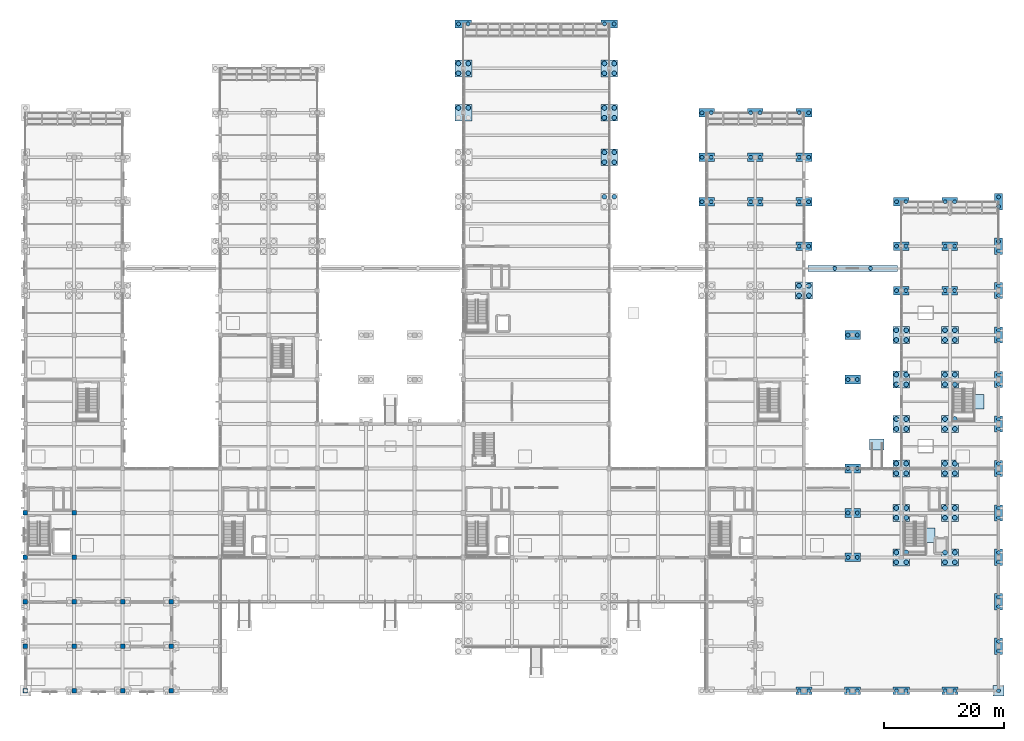
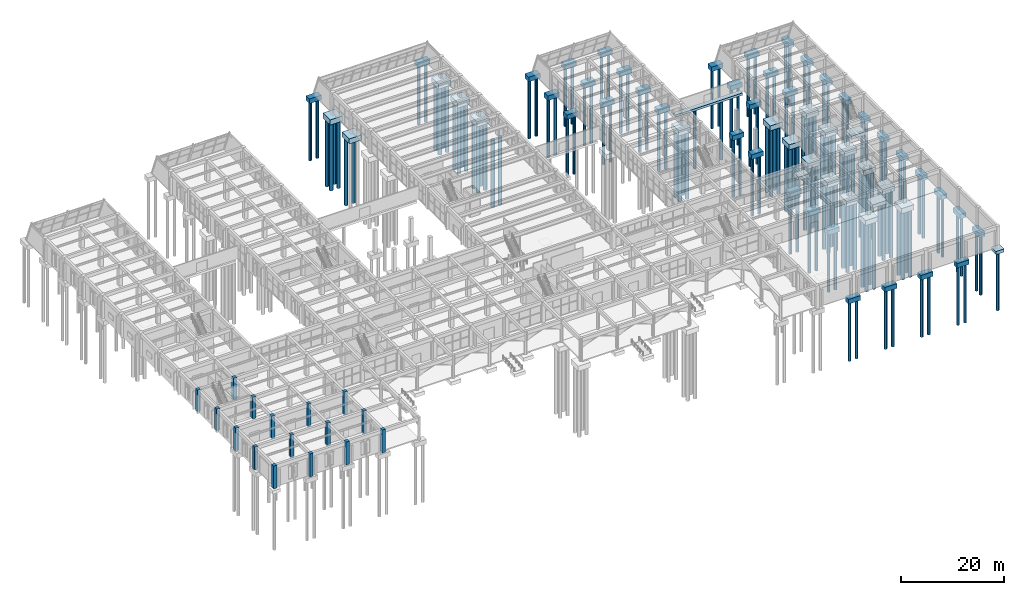
# One storey, part 2 of 140: 151 piles, 61 footings, 16 columns.
"""IFC4 building model written with IfcOpenShell, lengths in metres."""

from ifc_helpers import new_model, si_unit, direction, frame, origin, origin_2d, place, context, subcontext, project, spatial, rectangle, circle, extrude, material, material_profile, profile_set, type_object, element, save


model = new_model("IFC4")

# Units and contexts
model_context = context("Model", 3, precision=1e-05, world=origin(), true_north=direction((0.0, 1.0)))
body_context = subcontext(model_context, "Body", "Model", "MODEL_VIEW")
ifc_project = project(units=[si_unit("LENGTHUNIT", "METRE"), si_unit("AREAUNIT", "SQUARE_METRE"), si_unit("VOLUMEUNIT", "CUBIC_METRE"), si_unit("PLANEANGLEUNIT", "RADIAN"), si_unit("MASSUNIT", "GRAM", prefix="KILO")], contexts=[model_context])

# Site, building, storey
site_placement = place(None, origin())
site = spatial("IfcSite", under=ifc_project, at=site_placement, CompositionType="ELEMENT")
building_placement = place(site_placement, origin())
building = spatial("IfcBuilding", under=site, at=building_placement, Name="Cimatlan Art Gallery", CompositionType="ELEMENT")
storey_placement = place(building_placement, origin())
storey = spatial("IfcBuildingStorey", under=building, at=storey_placement, Name="L00", CompositionType="ELEMENT", Elevation=0.0)

# Footings
ifc_material_1 = material(Name="Concrete C40/50", Category="concrete")
footing_type_1 = type_object("IfcFootingType", Name="FTG-PAD-1800", PredefinedType="PAD_FOOTING", material=ifc_material_1)
footing_1_placement = place(storey_placement, frame((164.0, 1.699951171875, -1.030029296875), z_axis=(0.0, 0.0, 1.0), x_axis=(1.0, 0.0, 0.0)))
element("IfcFooting", 1, at=footing_1_placement, inside=storey, type_object=footing_type_1, Name="FTG-CAP-20-00", PredefinedType="PAD_FOOTING", context=body_context, shape_type="SweptSolid", body=[
    extrude(rectangle(XDim=1.800048828125, YDim=1.800048828125, at=origin_2d()), origin(), (0.0, 0.0, 1.0), 0.75),
])
footing_type_2 = type_object("IfcFootingType", Name="FTG-PAD-2400X1800", PredefinedType="PAD_FOOTING", material=ifc_material_1)
footing_2_placement = place(storey_placement, frame((143.75, 42.679931640625, -1.110107421875), z_axis=(0.0, 0.0, 1.0), x_axis=(1.0, 0.0, 0.0)))
element("IfcFooting", 2, at=footing_2_placement, inside=storey, type_object=footing_type_2, Name="FTG-RMP-06-BOT", PredefinedType="PAD_FOOTING", context=body_context, shape_type="SweptSolid", body=[
    extrude(rectangle(XDim=2.39990234375, YDim=1.800048828125, at=origin_2d()), origin(), (0.0, 0.0, 1.0), 0.75),
])
footing_type_3 = type_object("IfcFootingType", Name="FTG-PAD-3200X2400", PredefinedType="PAD_FOOTING", material=ifc_material_1)
for number, where, z_axis, x_axis, name in (
    (3, (151.85009765625, 27.60009765625, -1.080078125), (0.0, 0.0, 1.0), (1.0, 0.0, 0.0), "FTG-CORE-C5"),
    (4, (159.949951171875, 49.800048828125, -1.080078125), (0.0, 0.0, 1.0), (1.0, 0.0, 0.0), "FTG-CORE-C10"),
):
    element("IfcFooting", number, at=place(storey_placement, frame(where, z_axis=z_axis, x_axis=x_axis)), inside=storey, type_object=footing_type_3, Name=name, PredefinedType="PAD_FOOTING", context=body_context, shape_type="SweptSolid", body=[
        extrude(rectangle(XDim=3.199951171875, YDim=2.39990234375, at=origin_2d()), origin(), (0.0, 0.0, 1.0), 0.800048828125),
    ])
footing_type_4 = type_object("IfcFootingType", Name="FTG-PC2-2600X1450", PredefinedType="PILE_CAP", material=ifc_material_1)
for number, where, z_axis, x_axis, name in (
    (5, (115.39990234375, 83.10009765625, -1.380126953125), (0.0, 0.0, 1.0), (1.0, 0.0, 0.0), "FTG-CAP-14-11"),
    (6, (115.39990234375, 90.5, -1.380126953125), (0.0, 0.0, 1.0), (1.0, 0.0, 0.0), "FTG-CAP-14-12"),
    (7, (115.39990234375, 97.89990234375, -1.380126953125), (0.0, 0.0, 1.0), (1.0, 0.0, 0.0), "FTG-CAP-14-13"),
    (8, (123.5, 83.10009765625, -1.380126953125), (0.0, 0.0, 1.0), (1.0, 0.0, 0.0), "FTG-CAP-15-11"),
    (9, (123.5, 90.5, -1.380126953125), (0.0, 0.0, 1.0), (1.0, 0.0, 0.0), "FTG-CAP-15-12"),
    (10, (123.5, 97.89990234375, -1.380126953125), (0.0, 0.0, 1.0), (1.0, 0.0, 0.0), "FTG-CAP-15-13"),
    (11, (131.60009765625, 75.699951171875, -1.380126953125), (0.0, 0.0, 1.0), (1.0, 0.0, 0.0), "FTG-CAP-16-10"),
    (12, (131.60009765625, 83.10009765625, -1.380126953125), (0.0, 0.0, 1.0), (1.0, 0.0, 0.0), "FTG-CAP-16-11"),
    (13, (131.60009765625, 90.5, -1.380126953125), (0.0, 0.0, 1.0), (1.0, 0.0, 0.0), "FTG-CAP-16-12"),
    (14, (131.60009765625, 97.89990234375, -1.380126953125), (0.0, 0.0, 1.0), (1.0, 0.0, 0.0), "FTG-CAP-16-13"),
    (15, (139.699951171875, 23.89990234375, -1.380126953125), (0.0, 0.0, 1.0), (1.0, 0.0, 0.0), "FTG-CAP-17-03"),
    (16, (139.699951171875, 31.300048828125, -1.380126953125), (0.0, 0.0, 1.0), (1.0, 0.0, 0.0), "FTG-CAP-17-04"),
    (17, (139.699951171875, 38.699951171875, -1.380126953125), (0.0, 0.0, 1.0), (1.0, 0.0, 0.0), "FTG-CAP-17-05"),
    (18, (139.699951171875, 53.5, -1.380126953125), (0.0, 0.0, 1.0), (1.0, 0.0, 0.0), "FTG-CAP-17-07"),
    (19, (139.699951171875, 60.89990234375, -1.380126953125), (0.0, 0.0, 1.0), (1.0, 0.0, 0.0), "FTG-CAP-17-08"),
    (20, (147.800048828125, 68.300048828125, -1.380126953125), (0.0, 0.0, 1.0), (1.0, 0.0, 0.0), "FTG-CAP-18-09"),
    (21, (147.800048828125, 75.699951171875, -1.380126953125), (0.0, 0.0, 1.0), (1.0, 0.0, 0.0), "FTG-CAP-18-10"),
    (22, (147.800048828125, 83.10009765625, -1.380126953125), (0.0, 0.0, 1.0), (1.0, 0.0, 0.0), "FTG-CAP-18-11"),
    (23, (155.89990234375, 68.300048828125, -1.380126953125), (0.0, 0.0, 1.0), (1.0, 0.0, 0.0), "FTG-CAP-19-09"),
    (24, (155.89990234375, 75.699951171875, -1.380126953125), (0.0, 0.0, 1.0), (1.0, 0.0, 0.0), "FTG-CAP-19-10"),
    (25, (155.89990234375, 83.10009765625, -1.380126953125), (0.0, 0.0, 1.0), (1.0, 0.0, 0.0), "FTG-CAP-19-11"),
):
    element("IfcFooting", number, at=place(storey_placement, frame(where, z_axis=z_axis, x_axis=x_axis)), inside=storey, type_object=footing_type_4, Name=name, PredefinedType="PILE_CAP", context=body_context, shape_type="SweptSolid", body=[
        extrude(rectangle(XDim=2.60009765625, YDim=1.449951171875, at=origin_2d()), origin(), (0.0, 0.0, 1.0), 1.10009765625),
    ])
footing_type_5 = type_object("IfcFootingType", Name="FTG-PC2E-2700X1300", PredefinedType="PILE_CAP", material=ifc_material_1)
for number, where, z_axis, x_axis, name in (
    (26, (74.89990234375, 112.699951171875, -1.380126953125), (0.0, 0.0, 1.0), (1.0, 0.0, 0.0), "FTG-CAP-09-15"),
    (27, (99.199951171875, 112.699951171875, -1.380126953125), (0.0, 0.0, 1.0), (1.0, 0.0, 0.0), "FTG-CAP-12-15"),
    (28, (131.60009765625, 1.699951171875, -1.380126953125), (0.0, 0.0, 1.0), (1.0, 0.0, 0.0), "FTG-CAP-16-00"),
    (29, (139.699951171875, 1.699951171875, -1.380126953125), (0.0, 0.0, 1.0), (1.0, 0.0, 0.0), "FTG-CAP-17-00"),
    (30, (147.800048828125, 1.699951171875, -1.380126953125), (0.0, 0.0, 1.0), (1.0, 0.0, 0.0), "FTG-CAP-18-00"),
    (31, (155.89990234375, 1.699951171875, -1.380126953125), (0.0, 0.0, 1.0), (1.0, 0.0, 0.0), "FTG-CAP-19-00"),
):
    element("IfcFooting", number, at=place(storey_placement, frame(where, z_axis=z_axis, x_axis=x_axis)), inside=storey, type_object=footing_type_5, Name=name, PredefinedType="PILE_CAP", context=body_context, shape_type="SweptSolid", body=[
        extrude(rectangle(XDim=2.699951171875, YDim=1.300048828125, at=origin_2d()), origin(), (0.0, 0.0, 1.0), 1.10009765625),
    ])
footing_type_6 = type_object("IfcFootingType", Name="FTG-PC2N-1300X2700", PredefinedType="PILE_CAP", material=ifc_material_1)
for number, where, z_axis, x_axis, name in (
    (32, (164.0, 9.10009765625, -1.380126953125), (0.0, 0.0, 1.0), (1.0, 0.0, 0.0), "FTG-CAP-20-01"),
    (33, (164.0, 16.5, -1.380126953125), (0.0, 0.0, 1.0), (1.0, 0.0, 0.0), "FTG-CAP-20-02"),
    (34, (164.0, 23.89990234375, -1.380126953125), (0.0, 0.0, 1.0), (1.0, 0.0, 0.0), "FTG-CAP-20-03"),
    (35, (164.0, 31.300048828125, -1.380126953125), (0.0, 0.0, 1.0), (1.0, 0.0, 0.0), "FTG-CAP-20-04"),
    (36, (164.0, 38.699951171875, -1.380126953125), (0.0, 0.0, 1.0), (1.0, 0.0, 0.0), "FTG-CAP-20-05"),
    (37, (164.0, 46.10009765625, -1.380126953125), (0.0, 0.0, 1.0), (1.0, 0.0, 0.0), "FTG-CAP-20-06"),
    (38, (164.0, 53.5, -1.380126953125), (0.0, 0.0, 1.0), (1.0, 0.0, 0.0), "FTG-CAP-20-07"),
    (39, (164.0, 60.89990234375, -1.380126953125), (0.0, 0.0, 1.0), (1.0, 0.0, 0.0), "FTG-CAP-20-08"),
    (40, (164.0, 68.300048828125, -1.380126953125), (0.0, 0.0, 1.0), (1.0, 0.0, 0.0), "FTG-CAP-20-09"),
    (41, (164.0, 75.699951171875, -1.380126953125), (0.0, 0.0, 1.0), (1.0, 0.0, 0.0), "FTG-CAP-20-10"),
    (42, (164.0, 83.10009765625, -1.380126953125), (0.0, 0.0, 1.0), (1.0, 0.0, 0.0), "FTG-CAP-20-11"),
):
    element("IfcFooting", number, at=place(storey_placement, frame(where, z_axis=z_axis, x_axis=x_axis)), inside=storey, type_object=footing_type_6, Name=name, PredefinedType="PILE_CAP", context=body_context, shape_type="SweptSolid", body=[
        extrude(rectangle(XDim=1.300048828125, YDim=2.699951171875, at=origin_2d()), origin(), (0.0, 0.0, 1.0), 1.10009765625),
    ])
footing_type_7 = type_object("IfcFootingType", Name="FTG-PC4-2800", PredefinedType="PILE_CAP", material=ifc_material_1)
for number, where, z_axis, x_axis, name in (
    (43, (74.89990234375, 97.89990234375, -1.47998046875), (0.0, 0.0, 1.0), (1.0, 0.0, 0.0), "FTG-CAP-09-13"),
    (44, (74.89990234375, 105.300048828125, -1.47998046875), (0.0, 0.0, 1.0), (1.0, 0.0, 0.0), "FTG-CAP-09-14"),
    (45, (99.199951171875, 90.5, -1.47998046875), (0.0, 0.0, 1.0), (1.0, 0.0, 0.0), "FTG-CAP-12-12"),
    (46, (99.199951171875, 97.89990234375, -1.47998046875), (0.0, 0.0, 1.0), (1.0, 0.0, 0.0), "FTG-CAP-12-13"),
    (47, (99.199951171875, 105.300048828125, -1.47998046875), (0.0, 0.0, 1.0), (1.0, 0.0, 0.0), "FTG-CAP-12-14"),
    (48, (131.60009765625, 68.300048828125, -1.47998046875), (0.0, 0.0, 1.0), (1.0, 0.0, 0.0), "FTG-CAP-16-09"),
    (49, (147.800048828125, 23.89990234375, -1.47998046875), (0.0, 0.0, 1.0), (1.0, 0.0, 0.0), "FTG-CAP-18-03"),
    (50, (147.800048828125, 31.300048828125, -1.47998046875), (0.0, 0.0, 1.0), (1.0, 0.0, 0.0), "FTG-CAP-18-04"),
    (51, (147.800048828125, 38.699951171875, -1.47998046875), (0.0, 0.0, 1.0), (1.0, 0.0, 0.0), "FTG-CAP-18-05"),
    (52, (147.800048828125, 46.10009765625, -1.47998046875), (0.0, 0.0, 1.0), (1.0, 0.0, 0.0), "FTG-CAP-18-06"),
    (53, (147.800048828125, 53.5, -1.47998046875), (0.0, 0.0, 1.0), (1.0, 0.0, 0.0), "FTG-CAP-18-07"),
    (54, (147.800048828125, 60.89990234375, -1.47998046875), (0.0, 0.0, 1.0), (1.0, 0.0, 0.0), "FTG-CAP-18-08"),
    (55, (155.89990234375, 23.89990234375, -1.47998046875), (0.0, 0.0, 1.0), (1.0, 0.0, 0.0), "FTG-CAP-19-03"),
    (56, (155.89990234375, 31.300048828125, -1.47998046875), (0.0, 0.0, 1.0), (1.0, 0.0, 0.0), "FTG-CAP-19-04"),
    (57, (155.89990234375, 38.699951171875, -1.47998046875), (0.0, 0.0, 1.0), (1.0, 0.0, 0.0), "FTG-CAP-19-05"),
    (58, (155.89990234375, 46.10009765625, -1.47998046875), (0.0, 0.0, 1.0), (1.0, 0.0, 0.0), "FTG-CAP-19-06"),
    (59, (155.89990234375, 53.5, -1.47998046875), (0.0, 0.0, 1.0), (1.0, 0.0, 0.0), "FTG-CAP-19-07"),
    (60, (155.89990234375, 60.89990234375, -1.47998046875), (0.0, 0.0, 1.0), (1.0, 0.0, 0.0), "FTG-CAP-19-08"),
):
    element("IfcFooting", number, at=place(storey_placement, frame(where, z_axis=z_axis, x_axis=x_axis)), inside=storey, type_object=footing_type_7, Name=name, PredefinedType="PILE_CAP", context=body_context, shape_type="SweptSolid", body=[
        extrude(rectangle(XDim=2.800048828125, YDim=2.800048828125, at=origin_2d()), origin(), (0.0, 0.0, 1.0), 1.199951171875),
    ])
footing_type_8 = type_object("IfcFootingType", Name="FTG-SF-1000X550", PredefinedType="STRIP_FOOTING", material=ifc_material_1)
footing_3_placement = place(storey_placement, frame((139.699951171875, 72.0, -0.5498046875), z_axis=(0.0, 0.0, 1.0), x_axis=(1.0, 0.0, 0.0)))
element("IfcFooting", 61, at=footing_3_placement, inside=storey, type_object=footing_type_8, Name="FTG-CGS-4", PredefinedType="STRIP_FOOTING", context=body_context, shape_type="SweptSolid", body=[
    extrude(rectangle(XDim=14.89990234375, YDim=1.0, at=origin_2d()), origin(), (0.0, 0.0, 1.0), 0.550048828125),
])

# Piles
pile_type_1 = type_object("IfcPileType", Name="PIL-D650", PredefinedType="BORED", material=ifc_material_1)
for number, where, z_axis, x_axis, name in (
    (62, (74.10009765625, 112.699951171875, -1.280029296875), (0.0, 0.0, -1.0), (1.0, 0.0, 0.0), "PIL-09-15-1"),
    (63, (75.699951171875, 112.699951171875, -1.280029296875), (0.0, 0.0, -1.0), (1.0, 0.0, 0.0), "PIL-09-15-2"),
    (64, (98.39990234375, 112.699951171875, -1.280029296875), (0.0, 0.0, -1.0), (1.0, 0.0, 0.0), "PIL-12-15-1"),
    (65, (100.0, 112.699951171875, -1.280029296875), (0.0, 0.0, -1.0), (1.0, 0.0, 0.0), "PIL-12-15-2"),
    (66, (114.6201171875, 83.10009765625, -1.280029296875), (0.0, 0.0, -1.0), (1.0, 0.0, 0.0), "PIL-14-11-1"),
    (67, (116.179931640625, 83.10009765625, -1.280029296875), (0.0, 0.0, -1.0), (1.0, 0.0, 0.0), "PIL-14-11-2"),
    (68, (114.6201171875, 90.5, -1.280029296875), (0.0, 0.0, -1.0), (1.0, 0.0, 0.0), "PIL-14-12-1"),
    (69, (116.179931640625, 90.5, -1.280029296875), (0.0, 0.0, -1.0), (1.0, 0.0, 0.0), "PIL-14-12-2"),
    (70, (114.6201171875, 97.89990234375, -1.280029296875), (0.0, 0.0, -1.0), (1.0, 0.0, 0.0), "PIL-14-13-1"),
    (71, (116.179931640625, 97.89990234375, -1.280029296875), (0.0, 0.0, -1.0), (1.0, 0.0, 0.0), "PIL-14-13-2"),
    (72, (122.719970703125, 83.10009765625, -1.280029296875), (0.0, 0.0, -1.0), (1.0, 0.0, 0.0), "PIL-15-11-1"),
    (73, (124.280029296875, 83.10009765625, -1.280029296875), (0.0, 0.0, -1.0), (1.0, 0.0, 0.0), "PIL-15-11-2"),
    (74, (122.719970703125, 90.5, -1.280029296875), (0.0, 0.0, -1.0), (1.0, 0.0, 0.0), "PIL-15-12-1"),
    (75, (124.280029296875, 90.5, -1.280029296875), (0.0, 0.0, -1.0), (1.0, 0.0, 0.0), "PIL-15-12-2"),
    (76, (122.719970703125, 97.89990234375, -1.280029296875), (0.0, 0.0, -1.0), (1.0, 0.0, 0.0), "PIL-15-13-1"),
    (77, (124.280029296875, 97.89990234375, -1.280029296875), (0.0, 0.0, -1.0), (1.0, 0.0, 0.0), "PIL-15-13-2"),
    (78, (130.800048828125, 1.699951171875, -1.280029296875), (0.0, 0.0, -1.0), (1.0, 0.0, 0.0), "PIL-16-00-1"),
    (79, (132.39990234375, 1.699951171875, -1.280029296875), (0.0, 0.0, -1.0), (1.0, 0.0, 0.0), "PIL-16-00-2"),
    (80, (130.820068359375, 75.699951171875, -1.280029296875), (0.0, 0.0, -1.0), (1.0, 0.0, 0.0), "PIL-16-10-1"),
    (81, (132.3798828125, 75.699951171875, -1.280029296875), (0.0, 0.0, -1.0), (1.0, 0.0, 0.0), "PIL-16-10-2"),
    (82, (130.820068359375, 83.10009765625, -1.280029296875), (0.0, 0.0, -1.0), (1.0, 0.0, 0.0), "PIL-16-11-1"),
    (83, (132.3798828125, 83.10009765625, -1.280029296875), (0.0, 0.0, -1.0), (1.0, 0.0, 0.0), "PIL-16-11-2"),
    (84, (130.820068359375, 90.5, -1.280029296875), (0.0, 0.0, -1.0), (1.0, 0.0, 0.0), "PIL-16-12-1"),
    (85, (132.3798828125, 90.5, -1.280029296875), (0.0, 0.0, -1.0), (1.0, 0.0, 0.0), "PIL-16-12-2"),
    (86, (130.820068359375, 97.89990234375, -1.280029296875), (0.0, 0.0, -1.0), (1.0, 0.0, 0.0), "PIL-16-13-1"),
    (87, (132.3798828125, 97.89990234375, -1.280029296875), (0.0, 0.0, -1.0), (1.0, 0.0, 0.0), "PIL-16-13-2"),
    (88, (138.89990234375, 1.699951171875, -1.280029296875), (0.0, 0.0, -1.0), (1.0, 0.0, 0.0), "PIL-17-00-1"),
    (89, (140.5, 1.699951171875, -1.280029296875), (0.0, 0.0, -1.0), (1.0, 0.0, 0.0), "PIL-17-00-2"),
    (90, (138.919921875, 23.89990234375, -1.280029296875), (0.0, 0.0, -1.0), (1.0, 0.0, 0.0), "PIL-17-03-1"),
    (91, (140.47998046875, 23.89990234375, -1.280029296875), (0.0, 0.0, -1.0), (1.0, 0.0, 0.0), "PIL-17-03-2"),
    (92, (138.919921875, 31.300048828125, -1.280029296875), (0.0, 0.0, -1.0), (1.0, 0.0, 0.0), "PIL-17-04-1"),
    (93, (140.47998046875, 31.300048828125, -1.280029296875), (0.0, 0.0, -1.0), (1.0, 0.0, 0.0), "PIL-17-04-2"),
    (94, (138.919921875, 38.699951171875, -1.280029296875), (0.0, 0.0, -1.0), (1.0, 0.0, 0.0), "PIL-17-05-1"),
    (95, (140.47998046875, 38.699951171875, -1.280029296875), (0.0, 0.0, -1.0), (1.0, 0.0, 0.0), "PIL-17-05-2"),
    (96, (138.919921875, 53.5, -1.280029296875), (0.0, 0.0, -1.0), (1.0, 0.0, 0.0), "PIL-17-07-1"),
    (97, (140.47998046875, 53.5, -1.280029296875), (0.0, 0.0, -1.0), (1.0, 0.0, 0.0), "PIL-17-07-2"),
    (98, (138.919921875, 60.89990234375, -1.280029296875), (0.0, 0.0, -1.0), (1.0, 0.0, 0.0), "PIL-17-08-1"),
    (99, (140.47998046875, 60.89990234375, -1.280029296875), (0.0, 0.0, -1.0), (1.0, 0.0, 0.0), "PIL-17-08-2"),
    (100, (147.0, 1.699951171875, -1.280029296875), (0.0, 0.0, -1.0), (1.0, 0.0, 0.0), "PIL-18-00-1"),
    (101, (148.60009765625, 1.699951171875, -1.280029296875), (0.0, 0.0, -1.0), (1.0, 0.0, 0.0), "PIL-18-00-2"),
    (102, (147.02001953125, 68.300048828125, -1.280029296875), (0.0, 0.0, -1.0), (1.0, 0.0, 0.0), "PIL-18-09-1"),
    (103, (148.580078125, 68.300048828125, -1.280029296875), (0.0, 0.0, -1.0), (1.0, 0.0, 0.0), "PIL-18-09-2"),
    (104, (147.02001953125, 75.699951171875, -1.280029296875), (0.0, 0.0, -1.0), (1.0, 0.0, 0.0), "PIL-18-10-1"),
    (105, (148.580078125, 75.699951171875, -1.280029296875), (0.0, 0.0, -1.0), (1.0, 0.0, 0.0), "PIL-18-10-2"),
    (106, (147.02001953125, 83.10009765625, -1.280029296875), (0.0, 0.0, -1.0), (1.0, 0.0, 0.0), "PIL-18-11-1"),
    (107, (148.580078125, 83.10009765625, -1.280029296875), (0.0, 0.0, -1.0), (1.0, 0.0, 0.0), "PIL-18-11-2"),
    (108, (155.10009765625, 1.699951171875, -1.280029296875), (0.0, 0.0, -1.0), (1.0, 0.0, 0.0), "PIL-19-00-1"),
    (109, (156.699951171875, 1.699951171875, -1.280029296875), (0.0, 0.0, -1.0), (1.0, 0.0, 0.0), "PIL-19-00-2"),
    (110, (155.1201171875, 68.300048828125, -1.280029296875), (0.0, 0.0, -1.0), (1.0, 0.0, 0.0), "PIL-19-09-1"),
    (111, (156.679931640625, 68.300048828125, -1.280029296875), (0.0, 0.0, -1.0), (1.0, 0.0, 0.0), "PIL-19-09-2"),
    (112, (155.1201171875, 75.699951171875, -1.280029296875), (0.0, 0.0, -1.0), (1.0, 0.0, 0.0), "PIL-19-10-1"),
    (113, (156.679931640625, 75.699951171875, -1.280029296875), (0.0, 0.0, -1.0), (1.0, 0.0, 0.0), "PIL-19-10-2"),
    (114, (155.1201171875, 83.10009765625, -1.280029296875), (0.0, 0.0, -1.0), (1.0, 0.0, 0.0), "PIL-19-11-1"),
    (115, (156.679931640625, 83.10009765625, -1.280029296875), (0.0, 0.0, -1.0), (1.0, 0.0, 0.0), "PIL-19-11-2"),
    (116, (164.0, 1.699951171875, -0.929931640625), (0.0, 0.0, -1.0), (1.0, 0.0, 0.0), "PIL-20-00-1"),
    (117, (164.0, 8.300048828125, -1.280029296875), (0.0, 0.0, -1.0), (1.0, 0.0, 0.0), "PIL-20-01-1"),
    (118, (164.0, 9.89990234375, -1.280029296875), (0.0, 0.0, -1.0), (1.0, 0.0, 0.0), "PIL-20-01-2"),
    (119, (164.0, 15.699951171875, -1.280029296875), (0.0, 0.0, -1.0), (1.0, 0.0, 0.0), "PIL-20-02-1"),
    (120, (164.0, 17.300048828125, -1.280029296875), (0.0, 0.0, -1.0), (1.0, 0.0, 0.0), "PIL-20-02-2"),
    (121, (164.0, 23.10009765625, -1.280029296875), (0.0, 0.0, -1.0), (1.0, 0.0, 0.0), "PIL-20-03-1"),
    (122, (164.0, 24.699951171875, -1.280029296875), (0.0, 0.0, -1.0), (1.0, 0.0, 0.0), "PIL-20-03-2"),
    (123, (164.0, 30.5, -1.280029296875), (0.0, 0.0, -1.0), (1.0, 0.0, 0.0), "PIL-20-04-1"),
    (124, (164.0, 32.10009765625, -1.280029296875), (0.0, 0.0, -1.0), (1.0, 0.0, 0.0), "PIL-20-04-2"),
    (125, (164.0, 37.89990234375, -1.280029296875), (0.0, 0.0, -1.0), (1.0, 0.0, 0.0), "PIL-20-05-1"),
    (126, (164.0, 39.5, -1.280029296875), (0.0, 0.0, -1.0), (1.0, 0.0, 0.0), "PIL-20-05-2"),
    (127, (164.0, 45.300048828125, -1.280029296875), (0.0, 0.0, -1.0), (1.0, 0.0, 0.0), "PIL-20-06-1"),
    (128, (164.0, 46.89990234375, -1.280029296875), (0.0, 0.0, -1.0), (1.0, 0.0, 0.0), "PIL-20-06-2"),
    (129, (164.0, 52.699951171875, -1.280029296875), (0.0, 0.0, -1.0), (1.0, 0.0, 0.0), "PIL-20-07-1"),
    (130, (164.0, 54.300048828125, -1.280029296875), (0.0, 0.0, -1.0), (1.0, 0.0, 0.0), "PIL-20-07-2"),
    (131, (164.0, 60.10009765625, -1.280029296875), (0.0, 0.0, -1.0), (1.0, 0.0, 0.0), "PIL-20-08-1"),
    (132, (164.0, 61.699951171875, -1.280029296875), (0.0, 0.0, -1.0), (1.0, 0.0, 0.0), "PIL-20-08-2"),
    (133, (164.0, 67.5, -1.280029296875), (0.0, 0.0, -1.0), (1.0, 0.0, 0.0), "PIL-20-09-1"),
    (134, (164.0, 69.10009765625, -1.280029296875), (0.0, 0.0, -1.0), (1.0, 0.0, 0.0), "PIL-20-09-2"),
    (135, (164.0, 74.89990234375, -1.280029296875), (0.0, 0.0, -1.0), (1.0, 0.0, 0.0), "PIL-20-10-1"),
    (136, (164.0, 76.5, -1.280029296875), (0.0, 0.0, -1.0), (1.0, 0.0, 0.0), "PIL-20-10-2"),
    (137, (164.0, 82.300048828125, -1.280029296875), (0.0, 0.0, -1.0), (1.0, 0.0, 0.0), "PIL-20-11-1"),
    (138, (164.0, 83.89990234375, -1.280029296875), (0.0, 0.0, -1.0), (1.0, 0.0, 0.0), "PIL-20-11-2"),
    (139, (136.719970703125, 72.0, -0.449951171875), (0.0, 0.0, -1.0), (1.0, 0.0, 0.0), "PIL-CGS-4-1"),
    (140, (142.679931640625, 72.0, -0.449951171875), (0.0, 0.0, -1.0), (1.0, 0.0, 0.0), "PIL-CGS-4-2"),
):
    element("IfcPile", number, at=place(storey_placement, frame(where, z_axis=z_axis, x_axis=x_axis)), inside=storey, type_object=pile_type_1, Name=name, PredefinedType="BORED", context=body_context, shape_type="SweptSolid", body=[
        extrude(circle(Radius=0.324951171875, at=origin_2d()), origin(), (0.0, 0.0, 1.0), 14.0),
    ])
pile_type_2 = type_object("IfcPileType", Name="PIL-D800", PredefinedType="BORED", material=ifc_material_1)
for number, where, z_axis, x_axis, name in (
    (141, (74.080078125, 98.719970703125, -1.3798828125), (0.0, 0.0, -1.0), (1.0, 0.0, 0.0), "PIL-09-13-3"),
    (142, (75.719970703125, 98.719970703125, -1.3798828125), (0.0, 0.0, -1.0), (1.0, 0.0, 0.0), "PIL-09-13-4"),
    (143, (74.080078125, 104.47998046875, -1.3798828125), (0.0, 0.0, -1.0), (1.0, 0.0, 0.0), "PIL-09-14-1"),
    (144, (75.719970703125, 104.47998046875, -1.3798828125), (0.0, 0.0, -1.0), (1.0, 0.0, 0.0), "PIL-09-14-2"),
    (145, (74.080078125, 106.1201171875, -1.3798828125), (0.0, 0.0, -1.0), (1.0, 0.0, 0.0), "PIL-09-14-3"),
    (146, (75.719970703125, 106.1201171875, -1.3798828125), (0.0, 0.0, -1.0), (1.0, 0.0, 0.0), "PIL-09-14-4"),
    (147, (98.3798828125, 83.919921875, -1.3798828125), (0.0, 0.0, -1.0), (1.0, 0.0, 0.0), "PIL-12-11-3"),
    (148, (100.02001953125, 83.919921875, -1.3798828125), (0.0, 0.0, -1.0), (1.0, 0.0, 0.0), "PIL-12-11-4"),
    (149, (98.3798828125, 89.679931640625, -1.3798828125), (0.0, 0.0, -1.0), (1.0, 0.0, 0.0), "PIL-12-12-1"),
    (150, (100.02001953125, 89.679931640625, -1.3798828125), (0.0, 0.0, -1.0), (1.0, 0.0, 0.0), "PIL-12-12-2"),
    (151, (98.3798828125, 91.320068359375, -1.3798828125), (0.0, 0.0, -1.0), (1.0, 0.0, 0.0), "PIL-12-12-3"),
    (152, (100.02001953125, 91.320068359375, -1.3798828125), (0.0, 0.0, -1.0), (1.0, 0.0, 0.0), "PIL-12-12-4"),
    (153, (98.3798828125, 97.080078125, -1.3798828125), (0.0, 0.0, -1.0), (1.0, 0.0, 0.0), "PIL-12-13-1"),
    (154, (100.02001953125, 97.080078125, -1.3798828125), (0.0, 0.0, -1.0), (1.0, 0.0, 0.0), "PIL-12-13-2"),
    (155, (98.3798828125, 98.719970703125, -1.3798828125), (0.0, 0.0, -1.0), (1.0, 0.0, 0.0), "PIL-12-13-3"),
    (156, (100.02001953125, 98.719970703125, -1.3798828125), (0.0, 0.0, -1.0), (1.0, 0.0, 0.0), "PIL-12-13-4"),
    (157, (98.3798828125, 104.47998046875, -1.3798828125), (0.0, 0.0, -1.0), (1.0, 0.0, 0.0), "PIL-12-14-1"),
    (158, (100.02001953125, 104.47998046875, -1.3798828125), (0.0, 0.0, -1.0), (1.0, 0.0, 0.0), "PIL-12-14-2"),
    (159, (98.3798828125, 106.1201171875, -1.3798828125), (0.0, 0.0, -1.0), (1.0, 0.0, 0.0), "PIL-12-14-3"),
    (160, (100.02001953125, 106.1201171875, -1.3798828125), (0.0, 0.0, -1.0), (1.0, 0.0, 0.0), "PIL-12-14-4"),
    (161, (130.780029296875, 67.47998046875, -1.3798828125), (0.0, 0.0, -1.0), (1.0, 0.0, 0.0), "PIL-16-09-1"),
    (162, (132.419921875, 67.47998046875, -1.3798828125), (0.0, 0.0, -1.0), (1.0, 0.0, 0.0), "PIL-16-09-2"),
    (163, (130.780029296875, 69.1201171875, -1.3798828125), (0.0, 0.0, -1.0), (1.0, 0.0, 0.0), "PIL-16-09-3"),
    (164, (132.419921875, 69.1201171875, -1.3798828125), (0.0, 0.0, -1.0), (1.0, 0.0, 0.0), "PIL-16-09-4"),
    (165, (146.97998046875, 23.080078125, -1.3798828125), (0.0, 0.0, -1.0), (1.0, 0.0, 0.0), "PIL-18-03-1"),
    (166, (148.6201171875, 23.080078125, -1.3798828125), (0.0, 0.0, -1.0), (1.0, 0.0, 0.0), "PIL-18-03-2"),
    (167, (146.97998046875, 24.719970703125, -1.3798828125), (0.0, 0.0, -1.0), (1.0, 0.0, 0.0), "PIL-18-03-3"),
    (168, (148.6201171875, 24.719970703125, -1.3798828125), (0.0, 0.0, -1.0), (1.0, 0.0, 0.0), "PIL-18-03-4"),
    (169, (146.97998046875, 30.47998046875, -1.3798828125), (0.0, 0.0, -1.0), (1.0, 0.0, 0.0), "PIL-18-04-1"),
    (170, (148.6201171875, 30.47998046875, -1.3798828125), (0.0, 0.0, -1.0), (1.0, 0.0, 0.0), "PIL-18-04-2"),
    (171, (146.97998046875, 32.1201171875, -1.3798828125), (0.0, 0.0, -1.0), (1.0, 0.0, 0.0), "PIL-18-04-3"),
    (172, (148.6201171875, 32.1201171875, -1.3798828125), (0.0, 0.0, -1.0), (1.0, 0.0, 0.0), "PIL-18-04-4"),
    (173, (146.97998046875, 37.8798828125, -1.3798828125), (0.0, 0.0, -1.0), (1.0, 0.0, 0.0), "PIL-18-05-1"),
    (174, (148.6201171875, 37.8798828125, -1.3798828125), (0.0, 0.0, -1.0), (1.0, 0.0, 0.0), "PIL-18-05-2"),
    (175, (146.97998046875, 39.52001953125, -1.3798828125), (0.0, 0.0, -1.0), (1.0, 0.0, 0.0), "PIL-18-05-3"),
    (176, (148.6201171875, 39.52001953125, -1.3798828125), (0.0, 0.0, -1.0), (1.0, 0.0, 0.0), "PIL-18-05-4"),
    (177, (146.97998046875, 45.280029296875, -1.3798828125), (0.0, 0.0, -1.0), (1.0, 0.0, 0.0), "PIL-18-06-1"),
    (178, (148.6201171875, 45.280029296875, -1.3798828125), (0.0, 0.0, -1.0), (1.0, 0.0, 0.0), "PIL-18-06-2"),
    (179, (146.97998046875, 46.919921875, -1.3798828125), (0.0, 0.0, -1.0), (1.0, 0.0, 0.0), "PIL-18-06-3"),
    (180, (148.6201171875, 46.919921875, -1.3798828125), (0.0, 0.0, -1.0), (1.0, 0.0, 0.0), "PIL-18-06-4"),
    (181, (146.97998046875, 52.679931640625, -1.3798828125), (0.0, 0.0, -1.0), (1.0, 0.0, 0.0), "PIL-18-07-1"),
    (182, (148.6201171875, 52.679931640625, -1.3798828125), (0.0, 0.0, -1.0), (1.0, 0.0, 0.0), "PIL-18-07-2"),
    (183, (146.97998046875, 54.320068359375, -1.3798828125), (0.0, 0.0, -1.0), (1.0, 0.0, 0.0), "PIL-18-07-3"),
    (184, (148.6201171875, 54.320068359375, -1.3798828125), (0.0, 0.0, -1.0), (1.0, 0.0, 0.0), "PIL-18-07-4"),
    (185, (146.97998046875, 60.080078125, -1.3798828125), (0.0, 0.0, -1.0), (1.0, 0.0, 0.0), "PIL-18-08-1"),
    (186, (148.6201171875, 60.080078125, -1.3798828125), (0.0, 0.0, -1.0), (1.0, 0.0, 0.0), "PIL-18-08-2"),
    (187, (146.97998046875, 61.719970703125, -1.3798828125), (0.0, 0.0, -1.0), (1.0, 0.0, 0.0), "PIL-18-08-3"),
    (188, (148.6201171875, 61.719970703125, -1.3798828125), (0.0, 0.0, -1.0), (1.0, 0.0, 0.0), "PIL-18-08-4"),
    (189, (155.080078125, 23.080078125, -1.3798828125), (0.0, 0.0, -1.0), (1.0, 0.0, 0.0), "PIL-19-03-1"),
    (190, (156.719970703125, 23.080078125, -1.3798828125), (0.0, 0.0, -1.0), (1.0, 0.0, 0.0), "PIL-19-03-2"),
    (191, (155.080078125, 24.719970703125, -1.3798828125), (0.0, 0.0, -1.0), (1.0, 0.0, 0.0), "PIL-19-03-3"),
    (192, (156.719970703125, 24.719970703125, -1.3798828125), (0.0, 0.0, -1.0), (1.0, 0.0, 0.0), "PIL-19-03-4"),
    (193, (155.080078125, 30.47998046875, -1.3798828125), (0.0, 0.0, -1.0), (1.0, 0.0, 0.0), "PIL-19-04-1"),
    (194, (156.719970703125, 30.47998046875, -1.3798828125), (0.0, 0.0, -1.0), (1.0, 0.0, 0.0), "PIL-19-04-2"),
    (195, (155.080078125, 32.1201171875, -1.3798828125), (0.0, 0.0, -1.0), (1.0, 0.0, 0.0), "PIL-19-04-3"),
    (196, (156.719970703125, 32.1201171875, -1.3798828125), (0.0, 0.0, -1.0), (1.0, 0.0, 0.0), "PIL-19-04-4"),
    (197, (155.080078125, 37.8798828125, -1.3798828125), (0.0, 0.0, -1.0), (1.0, 0.0, 0.0), "PIL-19-05-1"),
    (198, (156.719970703125, 37.8798828125, -1.3798828125), (0.0, 0.0, -1.0), (1.0, 0.0, 0.0), "PIL-19-05-2"),
    (199, (155.080078125, 39.52001953125, -1.3798828125), (0.0, 0.0, -1.0), (1.0, 0.0, 0.0), "PIL-19-05-3"),
    (200, (156.719970703125, 39.52001953125, -1.3798828125), (0.0, 0.0, -1.0), (1.0, 0.0, 0.0), "PIL-19-05-4"),
    (201, (155.080078125, 45.280029296875, -1.3798828125), (0.0, 0.0, -1.0), (1.0, 0.0, 0.0), "PIL-19-06-1"),
    (202, (156.719970703125, 45.280029296875, -1.3798828125), (0.0, 0.0, -1.0), (1.0, 0.0, 0.0), "PIL-19-06-2"),
    (203, (155.080078125, 46.919921875, -1.3798828125), (0.0, 0.0, -1.0), (1.0, 0.0, 0.0), "PIL-19-06-3"),
    (204, (156.719970703125, 46.919921875, -1.3798828125), (0.0, 0.0, -1.0), (1.0, 0.0, 0.0), "PIL-19-06-4"),
    (205, (155.080078125, 52.679931640625, -1.3798828125), (0.0, 0.0, -1.0), (1.0, 0.0, 0.0), "PIL-19-07-1"),
    (206, (156.719970703125, 52.679931640625, -1.3798828125), (0.0, 0.0, -1.0), (1.0, 0.0, 0.0), "PIL-19-07-2"),
    (207, (155.080078125, 54.320068359375, -1.3798828125), (0.0, 0.0, -1.0), (1.0, 0.0, 0.0), "PIL-19-07-3"),
    (208, (156.719970703125, 54.320068359375, -1.3798828125), (0.0, 0.0, -1.0), (1.0, 0.0, 0.0), "PIL-19-07-4"),
    (209, (155.080078125, 60.080078125, -1.3798828125), (0.0, 0.0, -1.0), (1.0, 0.0, 0.0), "PIL-19-08-1"),
    (210, (156.719970703125, 60.080078125, -1.3798828125), (0.0, 0.0, -1.0), (1.0, 0.0, 0.0), "PIL-19-08-2"),
    (211, (155.080078125, 61.719970703125, -1.3798828125), (0.0, 0.0, -1.0), (1.0, 0.0, 0.0), "PIL-19-08-3"),
    (212, (156.719970703125, 61.719970703125, -1.3798828125), (0.0, 0.0, -1.0), (1.0, 0.0, 0.0), "PIL-19-08-4"),
):
    element("IfcPile", number, at=place(storey_placement, frame(where, z_axis=z_axis, x_axis=x_axis)), inside=storey, type_object=pile_type_2, Name=name, PredefinedType="BORED", context=body_context, shape_type="SweptSolid", body=[
        extrude(circle(Radius=0.39990234375, at=origin_2d()), origin(), (0.0, 0.0, 1.0), 16.0),
    ])

# Columns
ifc_material_2 = material(Name="Concrete C45/55", Category="concrete")
ifc_material_profile = material_profile(ifc_material_2, rectangle(XDim=0.75, YDim=0.75, at=origin_2d()), Name="RC750X750")
ifc_profile_set = profile_set([ifc_material_profile], Name="Concrete C45/55")
column_type = type_object("IfcColumnType", Name="COL-RC-750", PredefinedType="COLUMN", material=ifc_profile_set)
for number, where, z_axis, x_axis, name in (
    (213, (2.0, 1.699951171875, -0.280029296875), (0.0, 0.0, 1.0), (1.0, 0.0, 0.0), "COL-L00-00-00"),
    (214, (2.0, 9.10009765625, -0.280029296875), (0.0, 0.0, 1.0), (1.0, 0.0, 0.0), "COL-L00-00-01"),
    (215, (2.0, 16.5, -0.280029296875), (0.0, 0.0, 1.0), (1.0, 0.0, 0.0), "COL-L00-00-02"),
):
    element("IfcColumn", number, at=place(storey_placement, frame(where, z_axis=z_axis, x_axis=x_axis)), inside=storey, type_object=column_type, Name=name, PredefinedType="COLUMN", context=body_context, shape_type="SweptSolid", body=[
        extrude(rectangle(XDim=0.75, YDim=0.75, at=origin_2d()), origin(), (0.0, 0.0, 1.0), 5.4150390625),
    ])
for number, where, z_axis, x_axis, name in (
    (216, (2.0, 23.89990234375, 0.0), (0.0, 0.0, 1.0), (1.0, 0.0, 0.0), "COL-L00-00-03"),
    (217, (2.0, 31.300048828125, 0.0), (0.0, 0.0, 1.0), (1.0, 0.0, 0.0), "COL-L00-00-04"),
):
    element("IfcColumn", number, at=place(storey_placement, frame(where, z_axis=z_axis, x_axis=x_axis)), inside=storey, type_object=column_type, Name=name, PredefinedType="COLUMN", context=body_context, shape_type="SweptSolid", body=[
        extrude(rectangle(XDim=0.75, YDim=0.75, at=origin_2d()), origin(), (0.0, 0.0, 1.0), 5.135009765625),
    ])
for number, where, z_axis, x_axis, name in (
    (218, (10.10009765625, 1.699951171875, -0.280029296875), (0.0, 0.0, 1.0), (1.0, 0.0, 0.0), "COL-L00-01-00"),
    (219, (10.10009765625, 9.10009765625, -0.280029296875), (0.0, 0.0, 1.0), (1.0, 0.0, 0.0), "COL-L00-01-01"),
    (220, (10.10009765625, 16.5, -0.280029296875), (0.0, 0.0, 1.0), (1.0, 0.0, 0.0), "COL-L00-01-02"),
):
    element("IfcColumn", number, at=place(storey_placement, frame(where, z_axis=z_axis, x_axis=x_axis)), inside=storey, type_object=column_type, Name=name, PredefinedType="COLUMN", context=body_context, shape_type="SweptSolid", body=[
        extrude(rectangle(XDim=0.75, YDim=0.75, at=origin_2d()), origin(), (0.0, 0.0, 1.0), 5.4150390625),
    ])
for number, where, z_axis, x_axis, name in (
    (221, (10.10009765625, 23.89990234375, 0.0), (0.0, 0.0, 1.0), (1.0, 0.0, 0.0), "COL-L00-01-03"),
    (222, (10.10009765625, 31.300048828125, 0.0), (0.0, 0.0, 1.0), (1.0, 0.0, 0.0), "COL-L00-01-04"),
):
    element("IfcColumn", number, at=place(storey_placement, frame(where, z_axis=z_axis, x_axis=x_axis)), inside=storey, type_object=column_type, Name=name, PredefinedType="COLUMN", context=body_context, shape_type="SweptSolid", body=[
        extrude(rectangle(XDim=0.75, YDim=0.75, at=origin_2d()), origin(), (0.0, 0.0, 1.0), 5.135009765625),
    ])
for number, where, z_axis, x_axis, name in (
    (223, (18.199951171875, 1.699951171875, -0.280029296875), (0.0, 0.0, 1.0), (1.0, 0.0, 0.0), "COL-L00-02-00"),
    (224, (18.199951171875, 9.10009765625, -0.280029296875), (0.0, 0.0, 1.0), (1.0, 0.0, 0.0), "COL-L00-02-01"),
    (225, (18.199951171875, 16.5, -0.280029296875), (0.0, 0.0, 1.0), (1.0, 0.0, 0.0), "COL-L00-02-02"),
    (226, (26.300048828125, 1.699951171875, -0.280029296875), (0.0, 0.0, 1.0), (1.0, 0.0, 0.0), "COL-L00-03-00"),
    (227, (26.300048828125, 9.10009765625, -0.280029296875), (0.0, 0.0, 1.0), (1.0, 0.0, 0.0), "COL-L00-03-01"),
    (228, (26.300048828125, 16.5, -0.280029296875), (0.0, 0.0, 1.0), (1.0, 0.0, 0.0), "COL-L00-03-02"),
):
    element("IfcColumn", number, at=place(storey_placement, frame(where, z_axis=z_axis, x_axis=x_axis)), inside=storey, type_object=column_type, Name=name, PredefinedType="COLUMN", context=body_context, shape_type="SweptSolid", body=[
        extrude(rectangle(XDim=0.75, YDim=0.75, at=origin_2d()), origin(), (0.0, 0.0, 1.0), 5.4150390625),
    ])

save(model, "model.ifc")
